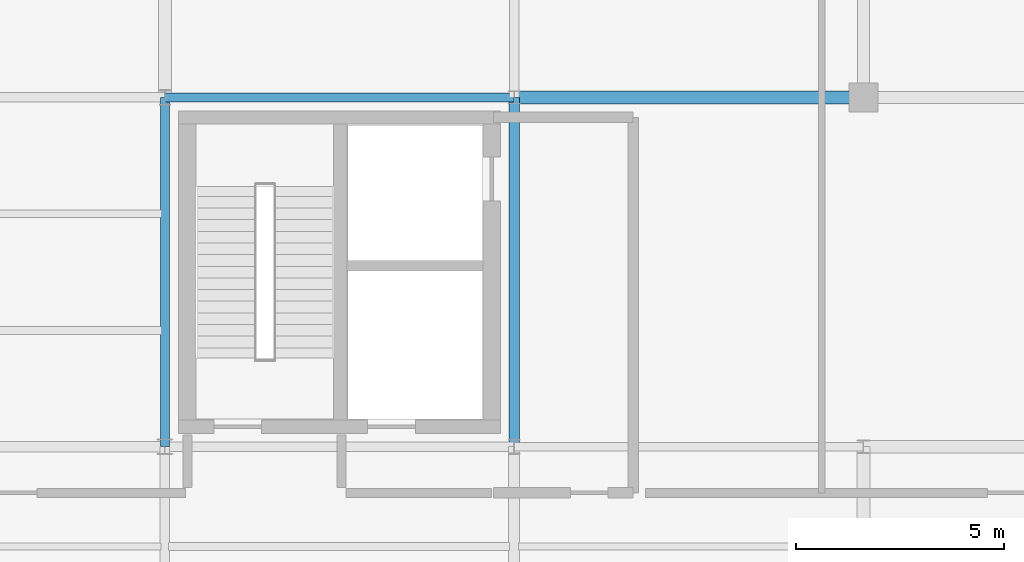
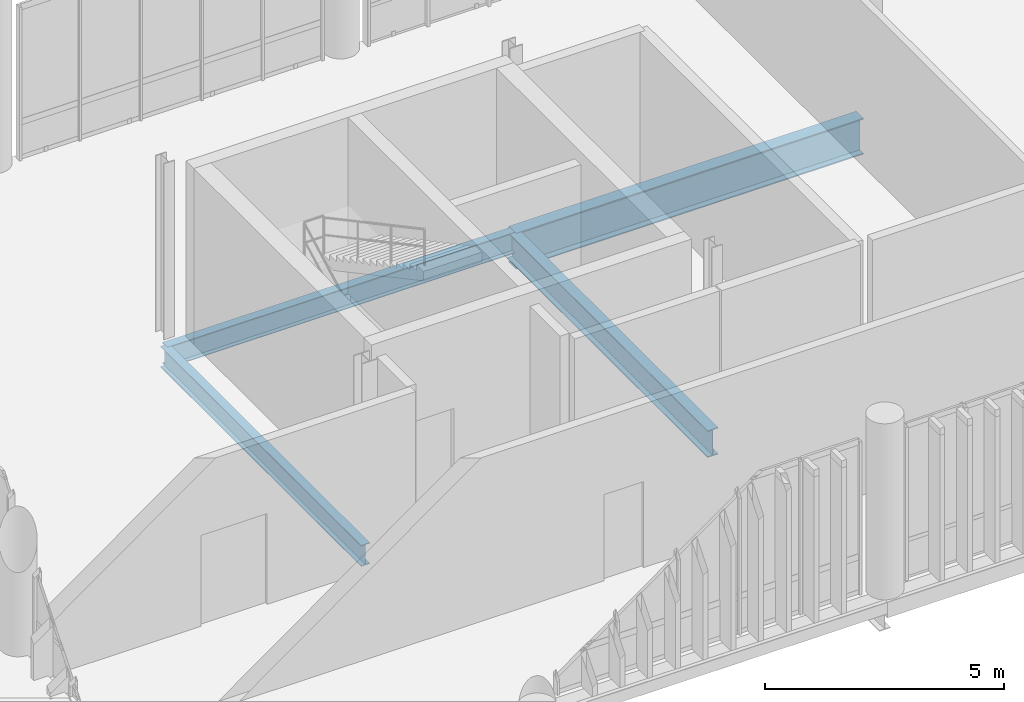
# One storey, part 22 of 68: 4 beams.
"""IFC4 building model written with IfcOpenShell, lengths in metres."""

from ifc_helpers import new_model, si_unit, direction, frame, origin_with_axes, origin_2d_with_axis, place, context, subcontext, project, spatial, i_section, extrude, material, material_profile, profile_set, type_object, element, save


model = new_model("IFC4")

# Units and contexts
model_context = context("Model", 3, precision=1e-05, world=origin_with_axes(), true_north=direction((0.0, 1.0)))
body_context = subcontext(model_context, "Body", "Model", "MODEL_VIEW")
ifc_project = project(units=[si_unit("LENGTHUNIT", "METRE"), si_unit("AREAUNIT", "SQUARE_METRE"), si_unit("VOLUMEUNIT", "CUBIC_METRE"), si_unit("PLANEANGLEUNIT", "RADIAN"), si_unit("MASSUNIT", "GRAM", prefix="KILO"), si_unit("THERMODYNAMICTEMPERATUREUNIT", "KELVIN")], contexts=[model_context])

# Site, building, storey
site_placement = place(None, origin_with_axes())
site = spatial("IfcSite", under=ifc_project, at=site_placement, CompositionType="ELEMENT")
building_placement = place(site_placement, origin_with_axes())
building = spatial("IfcBuilding", under=site, at=building_placement, Name="Montbau Bow Law Courts", CompositionType="ELEMENT")
storey_placement = place(building_placement, frame((0.0, 0.0, 20.4), z_axis=(0.0, 0.0, 1.0), x_axis=(1.0, 0.0, 0.0)))
storey = spatial("IfcBuildingStorey", under=building, at=storey_placement, Name="L04", CompositionType="ELEMENT", Elevation=20.4)

# Beams
ifc_material = material(Name="Steel CSA G40.21 Grade 350W (350 MPa)", Category="steel")
ifc_material_profile_1 = material_profile(ifc_material, i_section(OverallWidth=0.306, OverallDepth=0.919, WebThickness=0.0173, FlangeThickness=0.0279, at=origin_2d_with_axis()), Name="W920X253", Category="Main", Priority=0)
ifc_profile_set_1 = profile_set([ifc_material_profile_1], Name="Steel CSA G40.21 Grade 350W (350 MPa)")
beam_type_1 = type_object("IfcBeamType", Name="B-FLR-01", PredefinedType="BEAM", material=ifc_profile_set_1)
beam_1_placement = place(None, frame((63.6, 54.6, 19.661), z_axis=(1.0, 0.0, 0.0), x_axis=(0.0, 1.0, 0.0)))
element("IfcBeam", 1, at=beam_1_placement, inside=storey, type_object=beam_type_1, Name="BM-L04-S0929:bm2_0932", PredefinedType="BEAM", context=body_context, shape_type="SweptSolid", body=[
    extrude(i_section(OverallWidth=0.306, OverallDepth=0.919, WebThickness=0.0173, FlangeThickness=0.0279, at=origin_2d_with_axis()), origin_with_axes(), (0.0, 0.0, 1.0), 8.4),
])
ifc_material_profile_2 = material_profile(ifc_material, i_section(OverallWidth=0.254, OverallDepth=0.688, WebThickness=0.0131, FlangeThickness=0.0211, at=origin_2d_with_axis()), Name="W690X152", Category="Main", Priority=0)
ifc_profile_set_2 = profile_set([ifc_material_profile_2], Name="Steel CSA G40.21 Grade 350W (350 MPa)")
beam_type_2 = type_object("IfcBeamType", Name="B-FLR-04", PredefinedType="BEAM", material=ifc_profile_set_2)
beam_2_placement = place(None, frame((63.6, 46.2, 19.776), z_axis=(0.0, 1.0, 0.0), x_axis=(-1.0, 0.0, 0.0)))
element("IfcBeam", 2, at=beam_2_placement, inside=storey, type_object=beam_type_2, Name="BM-L04-S0944:bm2_0947", PredefinedType="BEAM", context=body_context, shape_type="SweptSolid", body=[
    extrude(i_section(OverallWidth=0.254, OverallDepth=0.688, WebThickness=0.0131, FlangeThickness=0.0211, at=origin_2d_with_axis()), origin_with_axes(), (0.0, 0.0, 1.0), 8.4),
])
ifc_material_profile_3 = material_profile(ifc_material, i_section(OverallWidth=0.21, OverallDepth=0.537, WebThickness=0.0109, FlangeThickness=0.0174, at=origin_2d_with_axis()), Name="W530X101", Category="Main", Priority=0)
ifc_profile_set_3 = profile_set([ifc_material_profile_3], Name="Steel CSA G40.21 Grade 350W (350 MPa)")
beam_type_3 = type_object("IfcBeamType", Name="B-FLR-06", PredefinedType="BEAM", material=ifc_profile_set_3)
for number, where, z_axis, x_axis, name in (
    (3, (55.2, 54.6, 19.852), (1.0, 0.0, 0.0), (0.0, 1.0, 0.0), "BM-L04-S0928:bm2_0931"),
    (4, (55.2, 46.2, 19.852), (0.0, 1.0, 0.0), (-1.0, 0.0, 0.0), "BM-L04-S0941:bm2_0944"),
):
    element("IfcBeam", number, at=place(None, frame(where, z_axis=z_axis, x_axis=x_axis)), inside=storey, type_object=beam_type_3, Name=name, PredefinedType="BEAM", context=body_context, shape_type="SweptSolid", body=[
        extrude(i_section(OverallWidth=0.21, OverallDepth=0.537, WebThickness=0.0109, FlangeThickness=0.0174, at=origin_2d_with_axis()), origin_with_axes(), (0.0, 0.0, 1.0), 8.4),
    ])

save(model, "model.ifc")
